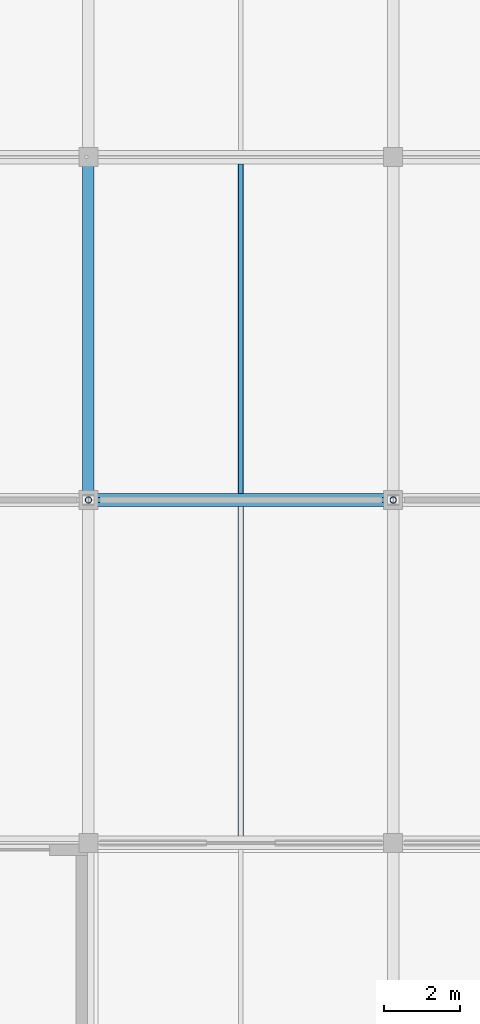
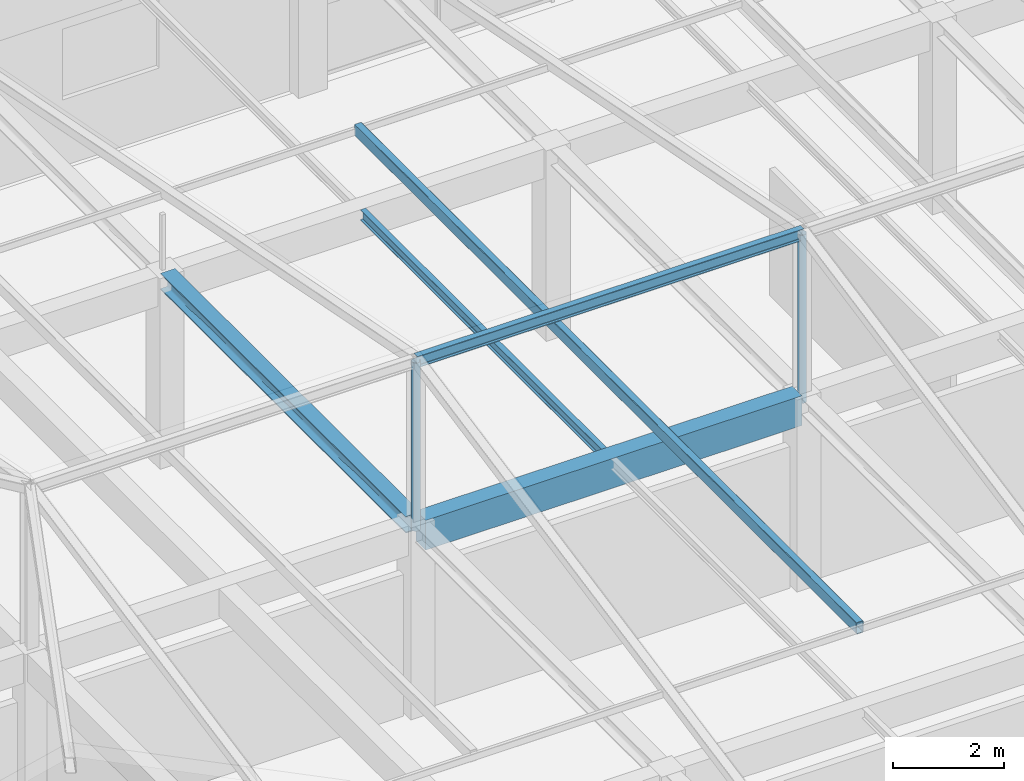
# One storey, part 12 of 65: 4 beams, 3 members.
"""IFC4 building model written with IfcOpenShell, lengths in metres."""

from ifc_helpers import new_model, si_unit, direction, frame, origin, origin_2d, place, context, subcontext, project, spatial, rectangle, hollow_rectangle, hollow_circle, i_section, extrude, material, material_profile, profile_set, type_object, element, save


model = new_model("IFC4")

# Units and contexts
model_context = context("Model", 3, precision=1e-05, world=origin(), true_north=direction((0.0, 1.0)))
body_context = subcontext(model_context, "Body", "Model", "MODEL_VIEW")
ifc_project = project(units=[si_unit("LENGTHUNIT", "METRE"), si_unit("AREAUNIT", "SQUARE_METRE"), si_unit("VOLUMEUNIT", "CUBIC_METRE"), si_unit("PLANEANGLEUNIT", "RADIAN"), si_unit("MASSUNIT", "GRAM", prefix="KILO")], contexts=[model_context])

# Site, building, storey
site_placement = place(None, origin())
site = spatial("IfcSite", under=ifc_project, at=site_placement, CompositionType="ELEMENT")
building_placement = place(site_placement, origin())
building = spatial("IfcBuilding", under=site, at=building_placement, Name="Varnabhumi Central Station", CompositionType="ELEMENT")
storey_placement = place(building_placement, frame((0.0, 0.0, 24.60009765625)))
storey = spatial("IfcBuildingStorey", under=building, at=storey_placement, Name="L05", CompositionType="ELEMENT", Elevation=24.60009765625)

# Beams
ifc_material_1 = material(Name="Structural steel E350", Category="steel")
ifc_material_profile_1 = material_profile(ifc_material_1, i_section(OverallWidth=0.125, OverallDepth=0.25, WebThickness=0.0068359375, FlangeThickness=0.012451171875, FilletRadius=0.012939453125, at=origin_2d()), Name="Structural steel E350", Category="steel")
ifc_profile_set_1 = profile_set([ifc_material_profile_1], Name="Structural steel E350")
beam_type_1 = type_object("IfcBeamType", Name="BM-PUR-ISMB250", PredefinedType="JOIST", material=ifc_profile_set_1)
beam_1_placement = place(storey_placement, frame((48.0, 18.0, 7.6298828125), z_axis=(1.0, 0.0, 0.0), x_axis=(0.0, 1.0, 0.0)))
element("IfcBeam", 1, at=beam_1_placement, inside=storey, type_object=beam_type_1, Name="Mission Roof Ridge Beam SW6E-3", PredefinedType="JOIST", context=body_context, shape_type="SweptSolid", body=[
    extrude(i_section(OverallWidth=0.125, OverallDepth=0.25, WebThickness=0.0068359375, FlangeThickness=0.012451171875, FilletRadius=0.012939453125, at=origin_2d()), origin(), (0.0, 0.0, 1.0), 8.0),
])
ifc_material_2 = material(Name="Concrete M40", Category="concrete")
ifc_material_profile_2 = material_profile(ifc_material_2, rectangle(XDim=0.35009765625, YDim=0.64990234375, at=origin_2d()), Name="Concrete M40", Category="concrete")
ifc_profile_set_2 = profile_set([ifc_material_profile_2], Name="Concrete M40")
beam_type_2 = type_object("IfcBeamType", Name="BM-RC-350x650", PredefinedType="BEAM", material=ifc_profile_set_2)
beam_2_placement = place(storey_placement, frame((48.10009765625, 18.0, 3.875), z_axis=(1.0, 0.0, 0.0), x_axis=(0.0, 1.0, 0.0)))
element("IfcBeam", 2, at=beam_2_placement, inside=storey, type_object=beam_type_2, Name="Beam L05-C:7-8", PredefinedType="BEAM", context=body_context, shape_type="SweptSolid", body=[
    extrude(rectangle(XDim=0.35009765625, YDim=0.64990234375, at=origin_2d()), origin(), (0.0, 0.0, 1.0), 7.7998046875),
])
ifc_material_profile_3 = material_profile(ifc_material_1, i_section(OverallWidth=0.110107421875, OverallDepth=0.22509765625, WebThickness=0.006591796875, FlangeThickness=0.01171875, FilletRadius=0.011962890625, at=origin_2d()), Name="Structural steel E350", Category="steel")
ifc_profile_set_3 = profile_set([ifc_material_profile_3], Name="Structural steel E350")
beam_type_3 = type_object("IfcBeamType", Name="BM-STL-ISMB225", PredefinedType="JOIST", material=ifc_profile_set_3)
beam_3_placement = place(storey_placement, frame((52.0, 18.175048828125, 4.08740234375), z_axis=(0.0, 1.0, 0.0), x_axis=(-1.0, 0.0, 0.0)))
element("IfcBeam", 3, at=beam_3_placement, inside=storey, type_object=beam_type_3, Name="Secondary Joist L05-7/8:C-D", PredefinedType="JOIST", context=body_context, shape_type="SweptSolid", body=[
    extrude(i_section(OverallWidth=0.110107421875, OverallDepth=0.22509765625, WebThickness=0.006591796875, FlangeThickness=0.01171875, FilletRadius=0.011962890625, at=origin_2d()), origin(), (0.0, 0.0, 1.0), 8.64990234375),
])
ifc_material_profile_4 = material_profile(ifc_material_1, i_section(OverallWidth=0.300048828125, OverallDepth=0.360107421875, WebThickness=0.012451171875, FlangeThickness=0.0224609375, FilletRadius=0.027099609375, at=origin_2d()), Name="Structural steel E350", Category="steel")
ifc_profile_set_4 = profile_set([ifc_material_profile_4], Name="Structural steel E350")
beam_type_4 = type_object("IfcBeamType", Name="BM-STL-WPB360", PredefinedType="BEAM", material=ifc_profile_set_4)
beam_4_placement = place(storey_placement, frame((48.0, 18.10009765625, 4.02001953125), z_axis=(0.0, 1.0, 0.0), x_axis=(-1.0, 0.0, 0.0)))
element("IfcBeam", 4, at=beam_4_placement, inside=storey, type_object=beam_type_4, Name="Beam L05-7:C-D", PredefinedType="BEAM", context=body_context, shape_type="SweptSolid", body=[
    extrude(i_section(OverallWidth=0.300048828125, OverallDepth=0.360107421875, WebThickness=0.012451171875, FlangeThickness=0.0224609375, FilletRadius=0.027099609375, at=origin_2d()), origin(), (0.0, 0.0, 1.0), 8.7998046875),
])

# Members
ifc_material_profile_5 = material_profile(ifc_material_1, hollow_rectangle(XDim=0.14990234375, YDim=0.25, WallThickness=0.010009765625, InnerFilletRadius=0.010009765625, OuterFilletRadius=0.02001953125, at=origin_2d()), Name="Structural steel E350", Category="steel")
ifc_profile_set_5 = profile_set([ifc_material_profile_5], Name="Structural steel E350")
member_type_1 = type_object("IfcMemberType", Name="MBR-COLLAR-RHS", PredefinedType="COLLAR", material=ifc_profile_set_5)
member_placement = place(storey_placement, frame((52.0, 9.0, 5.844970703125), z_axis=(0.0, 1.0, 0.0), x_axis=(-1.0, 0.0, 0.0)))
element("IfcMember", 5, at=member_placement, inside=storey, type_object=member_type_1, Name="Mission Roof Collar Tie SW6E-3", PredefinedType="COLLAR", context=body_context, shape_type="SweptSolid", body=[
    extrude(hollow_rectangle(XDim=0.14990234375, YDim=0.25, WallThickness=0.010009765625, InnerFilletRadius=0.010009765625, OuterFilletRadius=0.02001953125, at=origin_2d()), origin(), (0.0, 0.0, 1.0), 18.0),
])
ifc_material_profile_6 = material_profile(ifc_material_1, hollow_circle(Radius=0.084228515625, WallThickness=0.008056640625, at=origin_2d()), Name="Structural steel E350", Category="steel")
ifc_profile_set_6 = profile_set([ifc_material_profile_6], Name="Structural steel E350")
member_type_2 = type_object("IfcMemberType", Name="MBR-STRUT-CHS168", PredefinedType="STRUT", material=ifc_profile_set_6)
for number, where, z_axis, x_axis, name in (
    (6, (48.0, 18.0, 3.949951171875), (0.0, 0.0, 1.0), (1.0, 0.0, 0.0), "Mission Roof King Strut SW6E-3"),
    (7, (56.0, 18.0, 3.949951171875), (0.0, 0.0, 1.0), (1.0, 0.0, 0.0), "Mission Roof King Strut SW6E-4"),
):
    element("IfcMember", number, at=place(storey_placement, frame(where, z_axis=z_axis, x_axis=x_axis)), inside=storey, type_object=member_type_2, Name=name, PredefinedType="STRUT", context=body_context, shape_type="SweptSolid", body=[
        extrude(hollow_circle(Radius=0.084228515625, WallThickness=0.008056640625, at=origin_2d()), origin(), (0.0, 0.0, 1.0), 3.679931640625),
    ])

save(model, "model.ifc")
